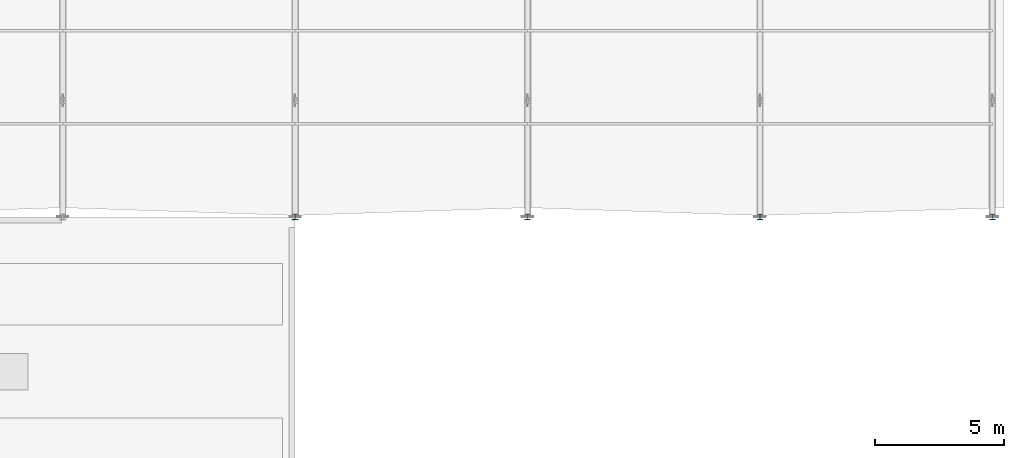
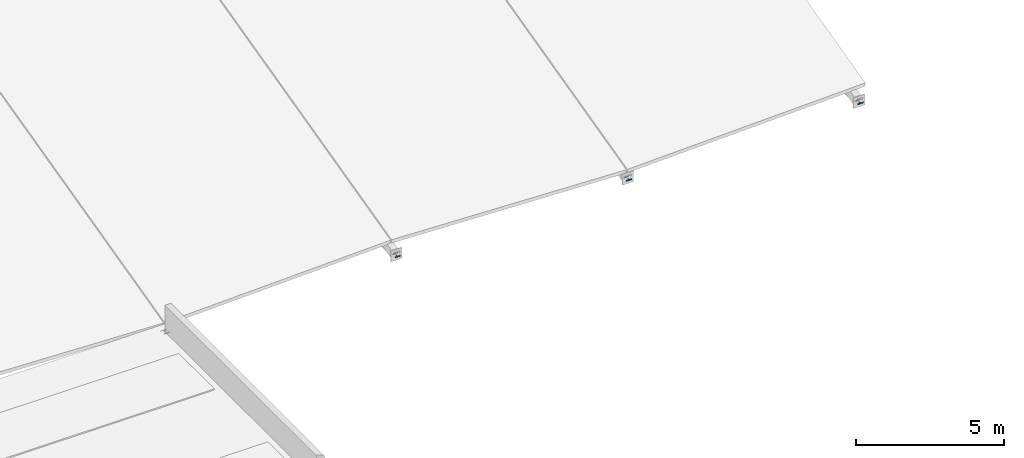
# One storey, part 15 of 36: 4 members.
"""IFC4 building model written with IfcOpenShell, lengths in metres."""

import ifcopenshell
import ifcopenshell.guid

model = None  # the IFC model being written
_history = None  # IfcOwnerHistory: only IFC2X3 demands one
_inside = {}  # id of a spatial element -> (the spatial element, [elements in it])
_under = {}  # id of a project, library or spatial element -> (it, [spatial elements below it])
_declared = {}  # id of a project -> (the project, [libraries it declares])
_typed = {}  # id of a type object -> (the type object, [elements of that type])
_made_of = {}  # id of a material, layer set ... -> (it, [elements and type objects made of it])


def new_model(schema):
    """Start an empty IFC model of exactly this schema.

    Asked for "IFC4X3", IfcOpenShell would pick the latest addendum, in which some entities
    have other attributes; the version numbers below select the first issue.
    IFC2X3 requires an IfcOwnerHistory on every rooted entity: one is made here for all.
    """
    global model, _history
    if schema == "IFC4X3":
        model = ifcopenshell.file(schema_version=(4, 3, 0, 0))
    else:
        model = ifcopenshell.file(schema=schema)
    _inside.clear()
    _under.clear()
    _declared.clear()
    _typed.clear()
    _made_of.clear()
    _history = None
    if model.schema == "IFC2X3":
        org = make("IfcOrganization", Name="unknown")
        user = make(
            "IfcPersonAndOrganization",
            ThePerson=make("IfcPerson", FamilyName="unknown"),
            TheOrganization=org,
        )
        app = make(
            "IfcApplication",
            ApplicationDeveloper=org,
            Version="unknown",
            ApplicationFullName="unknown",
            ApplicationIdentifier="unknown",
        )
        _history = make(
            "IfcOwnerHistory",
            OwningUser=user,
            OwningApplication=app,
            ChangeAction="ADDED",
            CreationDate=0,
        )
    return model


def make(cls, **values):
    """One entity of the class cls with the attributes given. An attribute that is None is left unset."""
    return model.create_entity(
        cls, **{name: value for name, value in values.items() if value is not None}
    )


def rooted(cls, **values):
    """An entity with a GlobalId (a new one), such as an element, a storey or a relation."""
    return make(cls, GlobalId=ifcopenshell.guid.new(), OwnerHistory=_history, **values)


def si_unit(unit_type, name, prefix=None):
    """IfcSIUnit, for example si_unit("LENGTHUNIT", "METRE", prefix="MILLI")."""
    return make("IfcSIUnit", UnitType=unit_type, Prefix=prefix, Name=name)


def assignment(units):
    """IfcUnitAssignment: the units of a project."""
    return None if units is None else make("IfcUnitAssignment", Units=units)


def point(xyz):
    """IfcCartesianPoint."""
    return None if xyz is None else make("IfcCartesianPoint", Coordinates=xyz)


def direction(xyz):
    """IfcDirection."""
    return None if xyz is None else make("IfcDirection", DirectionRatios=xyz)


def frame(location, z_axis=None, x_axis=None):
    """IfcAxis2Placement3D, a coordinate frame: its origin and axes. An axis left out is left unset."""
    return make(
        "IfcAxis2Placement3D",
        Location=point(location),
        Axis=direction(z_axis),
        RefDirection=direction(x_axis),
    )


def frame_2d(location, x_axis=None):
    """IfcAxis2Placement2D, a coordinate frame in the plane: its origin and x axis."""
    return make(
        "IfcAxis2Placement2D", Location=point(location), RefDirection=direction(x_axis)
    )


def origin():
    """The frame at (0, 0, 0) with its axes left unset."""
    return frame((0.0, 0.0, 0.0))


def origin_2d():
    """The frame at (0, 0) in the plane with its x axis left unset."""
    return frame_2d((0.0, 0.0))


def place(relative_to, where):
    """IfcLocalPlacement: puts the frame where relative to a parent placement (None: the world)."""
    return make(
        "IfcLocalPlacement", PlacementRelTo=relative_to, RelativePlacement=where
    )


def context(
    kind, dimensions, precision=None, world=None, true_north=None, identifier=None
):
    """IfcGeometricRepresentationContext, for example the 3D "Model" context."""
    return make(
        "IfcGeometricRepresentationContext",
        ContextIdentifier=identifier,
        ContextType=kind,
        CoordinateSpaceDimension=dimensions,
        Precision=precision,
        WorldCoordinateSystem=world,
        TrueNorth=true_north,
    )


def subcontext(parent, identifier, kind, view, scale=None):
    """IfcGeometricRepresentationSubContext, for example "Body" below "Model"."""
    return make(
        "IfcGeometricRepresentationSubContext",
        ContextIdentifier=identifier,
        ContextType=kind,
        ParentContext=parent,
        TargetScale=scale,
        TargetView=view,
    )


def project(units=None, contexts=None):
    """IfcProject with its units and contexts."""
    return rooted(
        "IfcProject",
        Name="project",
        RepresentationContexts=contexts,
        UnitsInContext=assignment(units),
    )


def spatial(cls, under=None, at=None, **own):
    """A site, building, storey or space (cls), placed at a placement, below another one or the project."""
    s = rooted(cls, ObjectPlacement=at, **own)
    if under is not None:
        _under.setdefault(under.id(), (under, []))[1].append(s)
    return s


def profile(cls, at=None, kind="AREA", **sizes):
    """A parametric profile (cls). Its sizes go by their IFC names, for example OverallWidth=200.0."""
    return make(cls, ProfileType=kind, Position=at, **sizes)


def i_section(**sizes):
    """IfcIShapeProfileDef."""
    return profile("IfcIShapeProfileDef", **sizes)


def extrude(swept, where, along, depth):
    """IfcExtrudedAreaSolid: the profile swept, set in the frame where, extruded along a direction by depth."""
    return make(
        "IfcExtrudedAreaSolid",
        SweptArea=swept,
        Position=where,
        ExtrudedDirection=direction(along),
        Depth=depth,
    )


def shape(context_of_items, identifier, shape_type, items):
    """IfcShapeRepresentation: the items that make up one representation, for example the "Body"."""
    return make(
        "IfcShapeRepresentation",
        ContextOfItems=context_of_items,
        RepresentationIdentifier=identifier,
        RepresentationType=shape_type,
        Items=items,
    )


def material(Name=None, Category=None):
    """IfcMaterial."""
    return make("IfcMaterial", Name=Name, Category=Category)


def material_profile(
    of_material, cross_section, Name=None, Category=None, Priority=None
):
    """IfcMaterialProfile: a cross section and its material."""
    return make(
        "IfcMaterialProfile",
        Name=Name,
        Material=of_material,
        Profile=cross_section,
        Priority=Priority,
        Category=Category,
    )


def profile_set(profiles, Name=None, composite=None):
    """IfcMaterialProfileSet."""
    return make(
        "IfcMaterialProfileSet",
        Name=Name,
        MaterialProfiles=profiles,
        CompositeProfile=composite,
    )


def made_of(thing, what):
    """Note that an element or type object is made of a material, layer set ...; save() writes the relation."""
    if what is not None:
        _made_of.setdefault(what.id(), (what, []))[1].append(thing)
    return thing


def type_object(cls, material=None, **own):
    """A type object (cls), such as IfcWallType, which elements share."""
    return made_of(rooted(cls, **own), material)


def element(
    cls,
    number,
    at=None,
    inside=None,
    cuts=None,
    type_object=None,
    material=None,
    context=None,
    identifier="Body",
    shape_type=None,
    held_by="IfcProductDefinitionShape",
    body=None,
    shapes=None,
    **own,
):
    """One element of the class cls, such as IfcWall. Its Tag is "e" and its number.

    at: its placement. inside: the storey or other place that contains it. cuts: it is an
    opening in that element (IfcRelVoidsElement). A single representation is given by context,
    identifier, shape_type and body (its items); several are given by shapes. held_by: the class
    of the entity that holds the representations. save() writes the other relations.
    """
    e = rooted(cls, Tag="e%d" % number, ObjectPlacement=at, **own)
    if body is not None:
        shapes = [shape(context, identifier, shape_type, body)]
    if shapes is not None:
        e.Representation = make(held_by, Representations=shapes)
    if inside is not None:
        _inside.setdefault(inside.id(), (inside, []))[1].append(e)
    if cuts is not None:
        rooted(
            "IfcRelVoidsElement", RelatingBuildingElement=cuts, RelatedOpeningElement=e
        )
    if type_object is not None:
        _typed.setdefault(type_object.id(), (type_object, []))[1].append(e)
    return made_of(e, material)


def aggregate(whole, parts):
    """IfcRelAggregates: a whole, such as a stair, and the parts it consists of."""
    return rooted("IfcRelAggregates", RelatingObject=whole, RelatedObjects=parts)


def save(model, path):
    """Write the relations noted so far, then the file.

    IfcRelAggregates (storeys below a building ...), IfcRelContainedInSpatialStructure (elements
    in a storey), IfcRelDefinesByType, IfcRelAssociatesMaterial and IfcRelDeclares: one each for
    every whole, place, type object, material and project.
    """
    for whole, parts in _under.values():
        aggregate(whole, parts)
    for where, things in _inside.values():
        rooted(
            "IfcRelContainedInSpatialStructure",
            RelatedElements=things,
            RelatingStructure=where,
        )
    for kind, things in _typed.values():
        rooted("IfcRelDefinesByType", RelatedObjects=things, RelatingType=kind)
    for what, things in _made_of.values():
        rooted("IfcRelAssociatesMaterial", RelatedObjects=things, RelatingMaterial=what)
    for by, libraries in _declared.values():
        rooted("IfcRelDeclares", RelatingContext=by, RelatedDefinitions=libraries)
    model.write(path)


model = new_model("IFC4")

# Units and contexts
model_context = context("Model", 3, precision=1e-05, world=origin(), true_north=direction((0.0, 1.0)))
body_context = subcontext(model_context, "Body", "Model", "MODEL_VIEW")
ifc_project = project(units=[si_unit("LENGTHUNIT", "METRE"), si_unit("AREAUNIT", "SQUARE_METRE"), si_unit("VOLUMEUNIT", "CUBIC_METRE"), si_unit("PLANEANGLEUNIT", "RADIAN"), si_unit("MASSUNIT", "GRAM", prefix="KILO")], contexts=[model_context])

# Site, building, storey
site_placement = place(None, origin())
site = spatial("IfcSite", under=ifc_project, at=site_placement, CompositionType="ELEMENT")
building_placement = place(site_placement, origin())
building = spatial("IfcBuilding", under=site, at=building_placement, Name="Montelvaro Courts of Justice", CompositionType="ELEMENT")
storey_placement = place(building_placement, frame((0.0, 0.0, 23.39990234375)))
storey = spatial("IfcBuildingStorey", under=building, at=storey_placement, Name="L05", CompositionType="ELEMENT", Elevation=23.39990234375)

# Members
ifc_material = material(Name="Steel S355", Category="steel")
ifc_material_profile = material_profile(ifc_material, i_section(OverallWidth=0.219970703125, OverallDepth=0.2099609375, WebThickness=0.007080078125, FlangeThickness=0.010986328125, at=origin_2d()), Name="HEA 220")
ifc_profile_set = profile_set([ifc_material_profile], Name="Steel S355")
member_type = type_object("IfcMemberType", Name="Mem_HEA220_Post", PredefinedType="POST", material=ifc_profile_set)
for number, where, z_axis, x_axis, name in (
    (1, (135.0, 78.0, -0.2998046875), (0.0, 0.0, -1.0), (1.0, 0.0, 0.0), "Roof Truss Post MP-03 ROOF-V2-VTR05-V0"),
    (2, (144.0, 78.0, -0.2998046875), (0.0, 0.0, -1.0), (1.0, 0.0, 0.0), "Roof Truss Post MP-03 ROOF-V2-VTR06-V0"),
    (3, (153.0, 78.0, -0.2998046875), (0.0, 0.0, -1.0), (1.0, 0.0, 0.0), "Roof Truss Post MP-03 ROOF-V2-VTR07-V0"),
    (4, (162.0, 78.0, -0.2998046875), (0.0, 0.0, -1.0), (1.0, 0.0, 0.0), "Roof Truss Post MP-03 ROOF-V2-VTR08-V0"),
):
    element("IfcMember", number, at=place(storey_placement, frame(where, z_axis=z_axis, x_axis=x_axis)), inside=storey, type_object=member_type, Name=name, PredefinedType="POST", context=body_context, shape_type="SweptSolid", body=[
        extrude(i_section(OverallWidth=0.219970703125, OverallDepth=0.2099609375, WebThickness=0.007080078125, FlangeThickness=0.010986328125, at=origin_2d()), origin(), (0.0, 0.0, 1.0), 0.050048828125),
    ])

save(model, "model.ifc")
